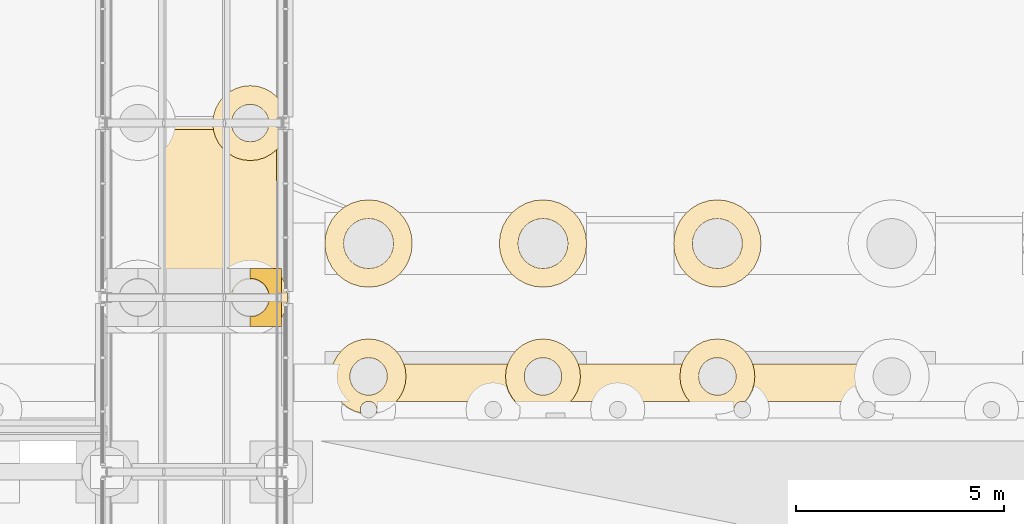
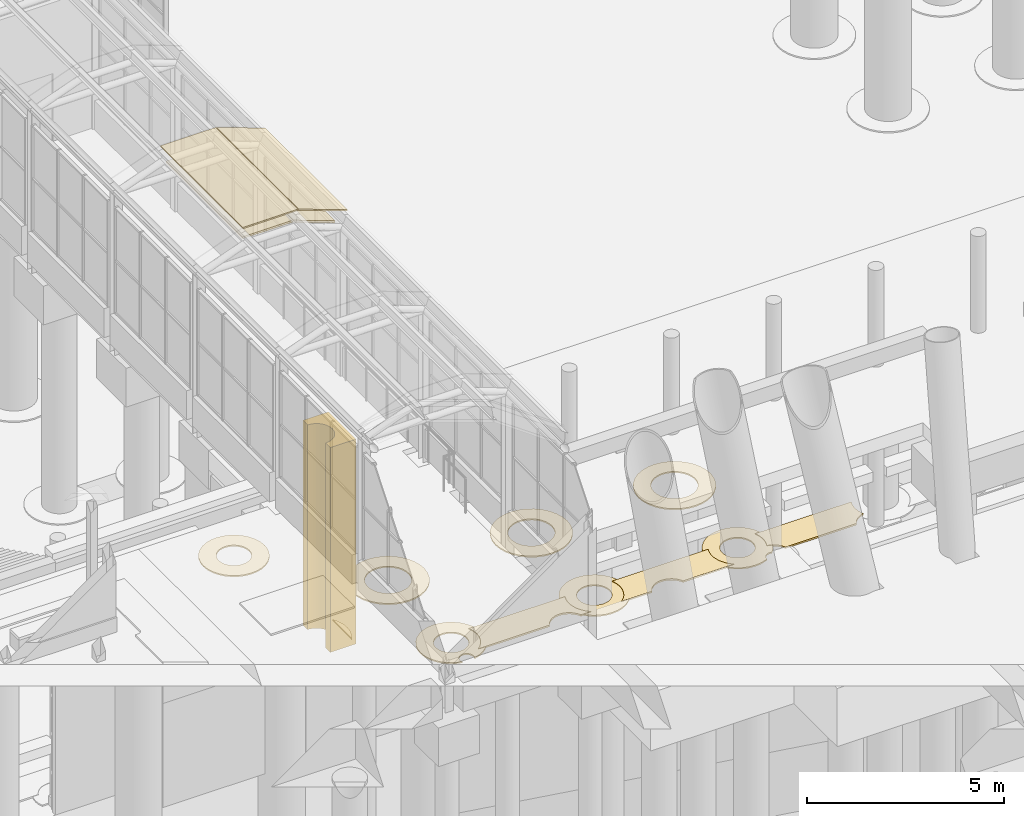
# One storey, part 185 of 222: 16 coverings.
"""IFC4 building model written with IfcOpenShell, lengths in metres."""

from ifc_helpers import new_model, si_unit, direction, frame, origin, place, context, subcontext, project, spatial, polyline, outline, extrude, material, layer, layer_set, type_object, element, save


model = new_model("IFC4")

# Units and contexts
model_context = context("Model", 3, precision=1e-05, world=origin(), true_north=direction((0.0, 1.0)))
body_context = subcontext(model_context, "Body", "Model", "MODEL_VIEW")
ifc_project = project(units=[si_unit("LENGTHUNIT", "METRE"), si_unit("AREAUNIT", "SQUARE_METRE"), si_unit("VOLUMEUNIT", "CUBIC_METRE"), si_unit("PLANEANGLEUNIT", "RADIAN"), si_unit("MASSUNIT", "GRAM", prefix="KILO")], contexts=[model_context])

# Site, building, storey
site_placement = place(None, origin())
site = spatial("IfcSite", under=ifc_project, at=site_placement, CompositionType="ELEMENT")
building_placement = place(site_placement, origin())
building = spatial("IfcBuilding", under=site, at=building_placement, Name="Sava Quay Ferry Terminal", CompositionType="ELEMENT")
storey_placement = place(building_placement, origin())
storey = spatial("IfcBuildingStorey", under=building, at=storey_placement, Name="L00", CompositionType="ELEMENT", Elevation=0.0)

# Coverings
ifc_material_1 = material(Name="Limestone ashlar", Category="masonry")
ifc_layer_1 = layer(ifc_material_1, 6.35009765625)
ifc_layer_set_1 = layer_set([ifc_layer_1], Name="Limestone ashlar")
covering_type_1 = type_object("IfcCoveringType", Name="Bridge abutment pier 1.65 m", PredefinedType="CLADDING", material=ifc_layer_set_1)
covering_1_placement = place(storey_placement, frame((0.0, 0.0, -8.0)))
element("IfcCovering", 1, at=covering_1_placement, inside=storey, type_object=covering_type_1, Name="Bridge abutment pier", PredefinedType="CLADDING", context=body_context, shape_type="SweptSolid", body=[
    extrude(outline(polyline([(50.39990234375, 121.10009765625), (50.39990234375, 122.5), (49.64990234375, 122.5), (49.64990234375, 122.260009765625), (49.695068359375, 122.258056640625), (49.739990234375, 122.2509765625), (49.783935546875, 122.239990234375), (49.825927734375, 122.22509765625), (49.866943359375, 122.2060546875), (49.906005859375, 122.181884765625), (49.94189453125, 122.156005859375), (49.97509765625, 122.125), (50.006103515625, 122.092041015625), (50.031982421875, 122.055908203125), (50.055908203125, 122.01708984375), (50.074951171875, 121.97607421875), (50.090087890625, 121.93408203125), (50.10107421875, 121.889892578125), (50.10791015625, 121.844970703125), (50.110107421875, 121.800048828125), (50.10791015625, 121.7548828125), (50.10107421875, 121.7099609375), (50.090087890625, 121.666015625), (50.074951171875, 121.6240234375), (50.055908203125, 121.5830078125), (50.031982421875, 121.5439453125), (50.006103515625, 121.508056640625), (49.97509765625, 121.47509765625), (49.94189453125, 121.444091796875), (49.906005859375, 121.41796875), (49.866943359375, 121.39404296875), (49.825927734375, 121.375), (49.783935546875, 121.360107421875), (49.739990234375, 121.34912109375), (49.695068359375, 121.342041015625), (49.64990234375, 121.340087890625), (49.64990234375, 121.10009765625), (50.39990234375, 121.10009765625)])), origin(), (0.0, 0.0, 1.0), 6.35009765625),
])
ifc_material_2 = material(Name="Glulam GL28h", Category="wood")
ifc_layer_2 = layer(ifc_material_2, 0.06005859375)
ifc_layer_set_2 = layer_set([ifc_layer_2], Name="Glulam GL28h")
covering_type_2 = type_object("IfcCoveringType", Name="Glulam soffit lining 60", PredefinedType="CEILING", material=ifc_layer_set_2)
covering_2_placement = place(storey_placement, frame((47.5634765625, 121.9599609375, 5.095703125), z_axis=(0.0, 0.0, 1.0), x_axis=(1.0, 0.0, 0.0)))
element("IfcCovering", 2, at=covering_2_placement, inside=storey, type_object=covering_type_2, Name="Boarding gallery B1 timber soffit lining bay 4 facet 2", PredefinedType="CEILING", context=body_context, shape_type="SweptSolid", body=[
    extrude(outline(polyline([(0.0, 0.0), (1.472900390625, 0.0), (1.472900390625, 3.880126953125), (0.0, 3.880126953125), (0.0, 0.0)])), origin(), (0.0, 0.0, -1.0), 0.06005859375),
])
covering_3_placement = place(storey_placement, frame((49.055908203125, 121.9599609375, 5.09228515625), z_axis=(0.342028329159, 0.0, 0.939689641346), x_axis=(0.939689641346, 0.0, -0.342028329159)))
element("IfcCovering", 3, at=covering_3_placement, inside=storey, type_object=covering_type_2, Name="Boarding gallery B1 timber soffit lining bay 4 facet 3", PredefinedType="CEILING", context=body_context, shape_type="SweptSolid", body=[
    extrude(outline(polyline([(0.0, 0.0), (1.3055444975084805, 0.0), (1.3055444975084805, 3.880126953125001), (0.0, 3.880126953125001), (0.0, 0.0)])), origin(), (0.0, 0.0, -1.0), 0.06005859375),
])
ifc_material_3 = material(Name="Water")
ifc_layer_3 = layer(ifc_material_3, 0.0400390625)
ifc_layer_set_3 = layer_set([ifc_layer_3], Name="Water")
covering_type_3 = type_object("IfcCoveringType", Name="River foam collar", PredefinedType="CLADDING", material=ifc_layer_set_3)
covering_4_placement = place(storey_placement, frame((0.0, 0.0, -8.0)))
element("IfcCovering", 4, at=covering_4_placement, inside=storey, type_object=covering_type_3, Name="River foam collar", PredefinedType="CLADDING", context=body_context, shape_type="SweptSolid", body=[
    extrude(outline(polyline([(50.534912109375, 121.6240234375), (50.552001953125, 121.800048828125), (50.534912109375, 121.97607421875), (50.48388671875, 122.14501953125), (50.39990234375, 122.301025390625), (50.39990234375, 121.299072265625), (50.48388671875, 121.455078125), (50.534912109375, 121.6240234375)])), origin(), (0.0, 0.0, 1.0), 0.0400390625),
])
covering_5_placement = place(storey_placement, frame((0.0, 0.0, -8.0)))
element("IfcCovering", 5, at=covering_5_placement, inside=storey, type_object=covering_type_3, Name="River foam collar", PredefinedType="CLADDING", context=body_context, shape_type="SweptSolid", body=[
    extrude(outline(polyline([(49.011962890625, 125.362060546875), (49.14892578125, 125.25), (49.304931640625, 125.166015625), (49.47412109375, 125.114990234375), (49.64990234375, 125.097900390625), (49.825927734375, 125.114990234375), (49.9951171875, 125.166015625), (50.15087890625, 125.25), (50.2880859375, 125.362060546875), (50.39990234375, 125.4990234375), (50.48388671875, 125.655029296875), (50.534912109375, 125.823974609375), (50.552001953125, 126.0), (50.534912109375, 126.176025390625), (50.48388671875, 126.344970703125), (50.39990234375, 126.5009765625), (50.2880859375, 126.637939453125), (50.15087890625, 126.75), (49.9951171875, 126.833984375), (49.825927734375, 126.885009765625), (49.64990234375, 126.902099609375), (49.47412109375, 126.885009765625), (49.304931640625, 126.833984375), (49.14892578125, 126.75), (49.011962890625, 126.637939453125), (48.89990234375, 126.5009765625), (48.81591796875, 126.344970703125), (48.764892578125, 126.176025390625), (48.748046875, 126.0), (48.764892578125, 125.823974609375), (48.81591796875, 125.655029296875), (48.89990234375, 125.4990234375), (49.011962890625, 125.362060546875)]), holes=[polyline([(49.33203125, 126.318115234375), (49.39990234375, 126.3740234375), (49.47802734375, 126.416015625), (49.56201171875, 126.44091796875), (49.64990234375, 126.449951171875), (49.738037109375, 126.44091796875), (49.822021484375, 126.416015625), (49.89990234375, 126.3740234375), (49.968017578125, 126.318115234375), (50.02392578125, 126.25), (50.06591796875, 126.172119140625), (50.091064453125, 126.087890625), (50.10009765625, 126.0), (50.091064453125, 125.912109375), (50.06591796875, 125.827880859375), (50.02392578125, 125.75), (49.968017578125, 125.681884765625), (49.89990234375, 125.6259765625), (49.822021484375, 125.583984375), (49.738037109375, 125.55908203125), (49.64990234375, 125.550048828125), (49.56201171875, 125.55908203125), (49.47802734375, 125.583984375), (49.39990234375, 125.6259765625), (49.33203125, 125.681884765625), (49.27587890625, 125.75), (49.23388671875, 125.827880859375), (49.208984375, 125.912109375), (49.199951171875, 126.0), (49.208984375, 126.087890625), (49.23388671875, 126.172119140625), (49.27587890625, 126.25), (49.33203125, 126.318115234375)])]), origin(), (0.0, 0.0, 1.0), 0.0400390625),
])
covering_6_placement = place(storey_placement, frame((0.0, 0.0, -8.0)))
element("IfcCovering", 6, at=covering_6_placement, inside=storey, type_object=covering_type_3, Name="River foam collar", PredefinedType="CLADDING", context=body_context, shape_type="SweptSolid", body=[
    extrude(outline(polyline([(51.614990234375, 120.075927734375), (51.597900390625, 119.89990234375), (51.614990234375, 119.72412109375), (51.666015625, 119.554931640625), (51.75, 119.39892578125), (51.862060546875, 119.261962890625), (51.9990234375, 119.14990234375), (52.155029296875, 119.06591796875), (52.319091796875, 119.01708984375), (52.31494140625, 119.02294921875), (52.303955078125, 119.06103515625), (52.300048828125, 119.10009765625), (52.303955078125, 119.138916015625), (52.31494140625, 119.177001953125), (52.333984375, 119.2109375), (52.35888671875, 119.240966796875), (52.388916015625, 119.26611328125), (52.423095703125, 119.284912109375), (52.4609375, 119.2958984375), (52.5, 119.300048828125), (52.5390625, 119.2958984375), (52.576904296875, 119.284912109375), (52.611083984375, 119.26611328125), (52.64111328125, 119.240966796875), (52.666015625, 119.2109375), (52.68505859375, 119.177001953125), (52.696044921875, 119.138916015625), (52.699951171875, 119.10009765625), (52.696044921875, 119.06103515625), (52.68505859375, 119.02294921875), (52.680908203125, 119.01708984375), (52.844970703125, 119.06591796875), (53.0009765625, 119.14990234375), (53.137939453125, 119.261962890625), (53.25, 119.39892578125), (53.333984375, 119.554931640625), (53.385009765625, 119.72412109375), (53.402099609375, 119.89990234375), (53.385009765625, 120.075927734375), (53.333984375, 120.2451171875), (53.25, 120.40087890625), (53.137939453125, 120.5380859375), (53.0009765625, 120.64990234375), (52.844970703125, 120.73388671875), (52.676025390625, 120.784912109375), (52.5, 120.802001953125), (52.323974609375, 120.784912109375), (52.155029296875, 120.73388671875), (51.9990234375, 120.64990234375), (51.862060546875, 120.5380859375), (51.75, 120.40087890625), (51.666015625, 120.2451171875), (51.614990234375, 120.075927734375)]), holes=[polyline([(52.75, 120.27392578125), (52.818115234375, 120.218017578125), (52.8740234375, 120.14990234375), (52.916015625, 120.072021484375), (52.94091796875, 119.988037109375), (52.949951171875, 119.89990234375), (52.94091796875, 119.81201171875), (52.916015625, 119.72802734375), (52.8740234375, 119.64990234375), (52.818115234375, 119.58203125), (52.75, 119.52587890625), (52.672119140625, 119.48388671875), (52.587890625, 119.458984375), (52.5, 119.449951171875), (52.412109375, 119.458984375), (52.327880859375, 119.48388671875), (52.25, 119.52587890625), (52.181884765625, 119.58203125), (52.1259765625, 119.64990234375), (52.083984375, 119.72802734375), (52.05908203125, 119.81201171875), (52.050048828125, 119.89990234375), (52.05908203125, 119.988037109375), (52.083984375, 120.072021484375), (52.1259765625, 120.14990234375), (52.181884765625, 120.218017578125), (52.25, 120.27392578125), (52.327880859375, 120.31591796875), (52.412109375, 120.341064453125), (52.5, 120.35009765625), (52.587890625, 120.341064453125), (52.672119140625, 120.31591796875), (52.75, 120.27392578125)])]), origin(), (0.0, 0.0, 1.0), 0.0400390625),
])
covering_7_placement = place(storey_placement, frame((0.0, 0.0, -8.0)))
element("IfcCovering", 7, at=covering_7_placement, inside=storey, type_object=covering_type_3, Name="River foam collar", PredefinedType="CLADDING", context=body_context, shape_type="SweptSolid", body=[
    extrude(outline(polyline([(57.044921875, 119.06591796875), (57.200927734375, 119.14990234375), (57.337890625, 119.261962890625), (57.449951171875, 119.39892578125), (57.533935546875, 119.554931640625), (57.5849609375, 119.72412109375), (57.60205078125, 119.89990234375), (57.5849609375, 120.075927734375), (57.533935546875, 120.2451171875), (57.449951171875, 120.40087890625), (57.337890625, 120.5380859375), (57.200927734375, 120.64990234375), (57.044921875, 120.73388671875), (56.8759765625, 120.784912109375), (56.699951171875, 120.802001953125), (56.52392578125, 120.784912109375), (56.35498046875, 120.73388671875), (56.198974609375, 120.64990234375), (56.06201171875, 120.5380859375), (55.949951171875, 120.40087890625), (55.865966796875, 120.2451171875), (55.81494140625, 120.075927734375), (55.798095703125, 119.89990234375), (55.81494140625, 119.72412109375), (55.865966796875, 119.554931640625), (55.949951171875, 119.39892578125), (56.06201171875, 119.261962890625), (56.198974609375, 119.14990234375), (56.35498046875, 119.06591796875), (56.52392578125, 119.014892578125), (56.699951171875, 118.998046875), (56.8759765625, 119.014892578125), (57.044921875, 119.06591796875)]), holes=[polyline([(56.8720703125, 120.31591796875), (56.949951171875, 120.27392578125), (57.01806640625, 120.218017578125), (57.073974609375, 120.14990234375), (57.115966796875, 120.072021484375), (57.14111328125, 119.988037109375), (57.14990234375, 119.89990234375), (57.14111328125, 119.81201171875), (57.115966796875, 119.72802734375), (57.073974609375, 119.64990234375), (57.01806640625, 119.58203125), (56.949951171875, 119.52587890625), (56.8720703125, 119.48388671875), (56.7880859375, 119.458984375), (56.699951171875, 119.449951171875), (56.612060546875, 119.458984375), (56.528076171875, 119.48388671875), (56.449951171875, 119.52587890625), (56.382080078125, 119.58203125), (56.325927734375, 119.64990234375), (56.283935546875, 119.72802734375), (56.259033203125, 119.81201171875), (56.25, 119.89990234375), (56.259033203125, 119.988037109375), (56.283935546875, 120.072021484375), (56.325927734375, 120.14990234375), (56.382080078125, 120.218017578125), (56.449951171875, 120.27392578125), (56.528076171875, 120.31591796875), (56.612060546875, 120.341064453125), (56.699951171875, 120.35009765625), (56.7880859375, 120.341064453125), (56.8720703125, 120.31591796875)])]), origin(), (0.0, 0.0, 1.0), 0.0400390625),
])
covering_8_placement = place(storey_placement, frame((0.0, 0.0, -8.0)))
element("IfcCovering", 8, at=covering_8_placement, inside=storey, type_object=covering_type_3, Name="River foam collar", PredefinedType="CLADDING", context=body_context, shape_type="SweptSolid", body=[
    extrude(outline(polyline([(61.64990234375, 120.40087890625), (61.5380859375, 120.5380859375), (61.40087890625, 120.64990234375), (61.2451171875, 120.73388671875), (61.075927734375, 120.784912109375), (60.89990234375, 120.802001953125), (60.72412109375, 120.784912109375), (60.554931640625, 120.73388671875), (60.39892578125, 120.64990234375), (60.261962890625, 120.5380859375), (60.14990234375, 120.40087890625), (60.06591796875, 120.2451171875), (60.014892578125, 120.075927734375), (59.998046875, 119.89990234375), (60.014892578125, 119.72412109375), (60.06591796875, 119.554931640625), (60.14990234375, 119.39892578125), (60.261962890625, 119.261962890625), (60.39892578125, 119.14990234375), (60.554931640625, 119.06591796875), (60.72412109375, 119.014892578125), (60.89990234375, 118.998046875), (61.075927734375, 119.014892578125), (61.2451171875, 119.06591796875), (61.300048828125, 119.095947265625), (61.303955078125, 119.138916015625), (61.31494140625, 119.177001953125), (61.333984375, 119.2109375), (61.35888671875, 119.240966796875), (61.388916015625, 119.26611328125), (61.423095703125, 119.284912109375), (61.4609375, 119.2958984375), (61.5, 119.300048828125), (61.5390625, 119.2958984375), (61.56103515625, 119.2900390625), (61.64990234375, 119.39892578125), (61.73388671875, 119.554931640625), (61.784912109375, 119.72412109375), (61.802001953125, 119.89990234375), (61.784912109375, 120.075927734375), (61.73388671875, 120.2451171875), (61.64990234375, 120.40087890625)]), holes=[polyline([(60.988037109375, 120.341064453125), (61.072021484375, 120.31591796875), (61.14990234375, 120.27392578125), (61.218017578125, 120.218017578125), (61.27392578125, 120.14990234375), (61.31591796875, 120.072021484375), (61.341064453125, 119.988037109375), (61.35009765625, 119.89990234375), (61.341064453125, 119.81201171875), (61.31591796875, 119.72802734375), (61.27392578125, 119.64990234375), (61.218017578125, 119.58203125), (61.14990234375, 119.52587890625), (61.072021484375, 119.48388671875), (60.988037109375, 119.458984375), (60.89990234375, 119.449951171875), (60.81201171875, 119.458984375), (60.72802734375, 119.48388671875), (60.64990234375, 119.52587890625), (60.58203125, 119.58203125), (60.52587890625, 119.64990234375), (60.48388671875, 119.72802734375), (60.458984375, 119.81201171875), (60.449951171875, 119.89990234375), (60.458984375, 119.988037109375), (60.48388671875, 120.072021484375), (60.52587890625, 120.14990234375), (60.58203125, 120.218017578125), (60.64990234375, 120.27392578125), (60.72802734375, 120.31591796875), (60.81201171875, 120.341064453125), (60.89990234375, 120.35009765625), (60.988037109375, 120.341064453125)])]), origin(), (0.0, 0.0, 1.0), 0.0400390625),
])
covering_9_placement = place(storey_placement, frame((0.0, 0.0, -8.0)))
element("IfcCovering", 9, at=covering_9_placement, inside=storey, type_object=covering_type_3, Name="River foam collar", PredefinedType="CLADDING", context=body_context, shape_type="SweptSolid", body=[
    extrude(outline(polyline([(51.9150390625, 122.22509765625), (52.096923828125, 122.1279296875), (52.294921875, 122.068115234375), (52.5, 122.048095703125), (52.705078125, 122.068115234375), (52.903076171875, 122.1279296875), (53.0849609375, 122.22509765625), (53.243896484375, 122.35595703125), (53.375, 122.514892578125), (53.471923828125, 122.697021484375), (53.531982421875, 122.89501953125), (53.552001953125, 123.10009765625), (53.531982421875, 123.304931640625), (53.471923828125, 123.5029296875), (53.375, 123.68505859375), (53.243896484375, 123.843994140625), (53.0849609375, 123.97509765625), (52.903076171875, 124.072021484375), (52.705078125, 124.132080078125), (52.5, 124.152099609375), (52.294921875, 124.132080078125), (52.096923828125, 124.072021484375), (51.9150390625, 123.97509765625), (51.756103515625, 123.843994140625), (51.625, 123.68505859375), (51.528076171875, 123.5029296875), (51.468017578125, 123.304931640625), (51.447998046875, 123.10009765625), (51.468017578125, 122.89501953125), (51.528076171875, 122.697021484375), (51.625, 122.514892578125), (51.756103515625, 122.35595703125), (51.9150390625, 122.22509765625)]), holes=[polyline([(52.1669921875, 123.59912109375), (52.27001953125, 123.654052734375), (52.383056640625, 123.68798828125), (52.5, 123.699951171875), (52.616943359375, 123.68798828125), (52.72998046875, 123.654052734375), (52.8330078125, 123.59912109375), (52.924072265625, 123.52392578125), (52.9990234375, 123.43310546875), (53.053955078125, 123.330078125), (53.087890625, 123.217041015625), (53.10009765625, 123.10009765625), (53.087890625, 122.98291015625), (53.053955078125, 122.8701171875), (52.9990234375, 122.76708984375), (52.924072265625, 122.676025390625), (52.8330078125, 122.60107421875), (52.72998046875, 122.5458984375), (52.616943359375, 122.511962890625), (52.5, 122.5), (52.383056640625, 122.511962890625), (52.27001953125, 122.5458984375), (52.1669921875, 122.60107421875), (52.075927734375, 122.676025390625), (52.0009765625, 122.76708984375), (51.946044921875, 122.8701171875), (51.912109375, 122.98291015625), (51.89990234375, 123.10009765625), (51.912109375, 123.217041015625), (51.946044921875, 123.330078125), (52.0009765625, 123.43310546875), (52.075927734375, 123.52392578125), (52.1669921875, 123.59912109375)])]), origin(), (0.0, 0.0, 1.0), 0.0400390625),
])
covering_10_placement = place(storey_placement, frame((0.0, 0.0, -8.0)))
element("IfcCovering", 10, at=covering_10_placement, inside=storey, type_object=covering_type_3, Name="River foam collar", PredefinedType="CLADDING", context=body_context, shape_type="SweptSolid", body=[
    extrude(outline(polyline([(55.9560546875, 122.35595703125), (56.114990234375, 122.22509765625), (56.297119140625, 122.1279296875), (56.4951171875, 122.068115234375), (56.699951171875, 122.048095703125), (56.905029296875, 122.068115234375), (57.10302734375, 122.1279296875), (57.284912109375, 122.22509765625), (57.444091796875, 122.35595703125), (57.574951171875, 122.514892578125), (57.672119140625, 122.697021484375), (57.73193359375, 122.89501953125), (57.751953125, 123.10009765625), (57.73193359375, 123.304931640625), (57.672119140625, 123.5029296875), (57.574951171875, 123.68505859375), (57.444091796875, 123.843994140625), (57.284912109375, 123.97509765625), (57.10302734375, 124.072021484375), (56.905029296875, 124.132080078125), (56.699951171875, 124.152099609375), (56.4951171875, 124.132080078125), (56.297119140625, 124.072021484375), (56.114990234375, 123.97509765625), (55.9560546875, 123.843994140625), (55.824951171875, 123.68505859375), (55.72802734375, 123.5029296875), (55.66796875, 123.304931640625), (55.64794921875, 123.10009765625), (55.66796875, 122.89501953125), (55.72802734375, 122.697021484375), (55.824951171875, 122.514892578125), (55.9560546875, 122.35595703125)]), holes=[polyline([(56.27587890625, 123.52392578125), (56.366943359375, 123.59912109375), (56.469970703125, 123.654052734375), (56.5830078125, 123.68798828125), (56.699951171875, 123.699951171875), (56.81689453125, 123.68798828125), (56.929931640625, 123.654052734375), (57.032958984375, 123.59912109375), (57.1240234375, 123.52392578125), (57.198974609375, 123.43310546875), (57.25390625, 123.330078125), (57.2880859375, 123.217041015625), (57.300048828125, 123.10009765625), (57.2880859375, 122.98291015625), (57.25390625, 122.8701171875), (57.198974609375, 122.76708984375), (57.1240234375, 122.676025390625), (57.032958984375, 122.60107421875), (56.929931640625, 122.5458984375), (56.81689453125, 122.511962890625), (56.699951171875, 122.5), (56.5830078125, 122.511962890625), (56.469970703125, 122.5458984375), (56.366943359375, 122.60107421875), (56.27587890625, 122.676025390625), (56.200927734375, 122.76708984375), (56.14599609375, 122.8701171875), (56.112060546875, 122.98291015625), (56.10009765625, 123.10009765625), (56.112060546875, 123.217041015625), (56.14599609375, 123.330078125), (56.200927734375, 123.43310546875), (56.27587890625, 123.52392578125)])]), origin(), (0.0, 0.0, 1.0), 0.0400390625),
])
covering_11_placement = place(storey_placement, frame((0.0, 0.0, -8.0)))
element("IfcCovering", 11, at=covering_11_placement, inside=storey, type_object=covering_type_3, Name="River foam collar", PredefinedType="CLADDING", context=body_context, shape_type="SweptSolid", body=[
    extrude(outline(polyline([(60.02490234375, 122.514892578125), (60.156005859375, 122.35595703125), (60.31494140625, 122.22509765625), (60.4970703125, 122.1279296875), (60.695068359375, 122.068115234375), (60.89990234375, 122.048095703125), (61.10498046875, 122.068115234375), (61.302978515625, 122.1279296875), (61.485107421875, 122.22509765625), (61.64404296875, 122.35595703125), (61.77490234375, 122.514892578125), (61.8720703125, 122.697021484375), (61.931884765625, 122.89501953125), (61.951904296875, 123.10009765625), (61.931884765625, 123.304931640625), (61.8720703125, 123.5029296875), (61.77490234375, 123.68505859375), (61.64404296875, 123.843994140625), (61.485107421875, 123.97509765625), (61.302978515625, 124.072021484375), (61.10498046875, 124.132080078125), (60.89990234375, 124.152099609375), (60.695068359375, 124.132080078125), (60.4970703125, 124.072021484375), (60.31494140625, 123.97509765625), (60.156005859375, 123.843994140625), (60.02490234375, 123.68505859375), (59.927978515625, 123.5029296875), (59.867919921875, 123.304931640625), (59.847900390625, 123.10009765625), (59.867919921875, 122.89501953125), (59.927978515625, 122.697021484375), (60.02490234375, 122.514892578125)]), holes=[polyline([(60.40087890625, 123.43310546875), (60.47607421875, 123.52392578125), (60.56689453125, 123.59912109375), (60.669921875, 123.654052734375), (60.782958984375, 123.68798828125), (60.89990234375, 123.699951171875), (61.01708984375, 123.68798828125), (61.1298828125, 123.654052734375), (61.23291015625, 123.59912109375), (61.323974609375, 123.52392578125), (61.39892578125, 123.43310546875), (61.4541015625, 123.330078125), (61.488037109375, 123.217041015625), (61.5, 123.10009765625), (61.488037109375, 122.98291015625), (61.4541015625, 122.8701171875), (61.39892578125, 122.76708984375), (61.323974609375, 122.676025390625), (61.23291015625, 122.60107421875), (61.1298828125, 122.5458984375), (61.01708984375, 122.511962890625), (60.89990234375, 122.5), (60.782958984375, 122.511962890625), (60.669921875, 122.5458984375), (60.56689453125, 122.60107421875), (60.47607421875, 122.676025390625), (60.40087890625, 122.76708984375), (60.345947265625, 122.8701171875), (60.31201171875, 122.98291015625), (60.300048828125, 123.10009765625), (60.31201171875, 123.217041015625), (60.345947265625, 123.330078125), (60.40087890625, 123.43310546875)])]), origin(), (0.0, 0.0, 1.0), 0.0400390625),
])
ifc_material_4 = material(Name="Water")
ifc_layer_4 = layer(ifc_material_4, 0.050048828125)
ifc_layer_set_4 = layer_set([ifc_layer_4], Name="Water")
covering_type_4 = type_object("IfcCoveringType", Name="River foam line", PredefinedType="CLADDING", material=ifc_layer_set_4)
covering_12_placement = place(storey_placement, frame((0.0, 0.0, -8.0)))
element("IfcCovering", 12, at=covering_12_placement, inside=storey, type_object=covering_type_4, Name="River foam line", PredefinedType="CLADDING", context=body_context, shape_type="SweptSolid", body=[
    extrude(outline(polyline([(64.4130859375, 120.199951171875), (61.5869140625, 120.199951171875), (61.60302734375, 120.158935546875), (61.6279296875, 120.074951171875), (61.635986328125, 120.0458984375), (61.639892578125, 120.01708984375), (61.64892578125, 119.928955078125), (61.64990234375, 119.89990234375), (61.64892578125, 119.87109375), (61.639892578125, 119.782958984375), (61.635986328125, 119.75390625), (61.6279296875, 119.72509765625), (61.60302734375, 119.64111328125), (61.593017578125, 119.613037109375), (61.5830078125, 119.593017578125), (61.6259765625, 119.5830078125), (61.69091796875, 119.56201171875), (61.7529296875, 119.531005859375), (61.778076171875, 119.51611328125), (61.801025390625, 119.498046875), (61.85400390625, 119.4541015625), (61.89794921875, 119.40087890625), (61.916015625, 119.3779296875), (61.930908203125, 119.35302734375), (61.9580078125, 119.300048828125), (64.0419921875, 119.300048828125), (64.069091796875, 119.35302734375), (64.083984375, 119.3779296875), (64.10205078125, 119.40087890625), (64.14599609375, 119.4541015625), (64.198974609375, 119.498046875), (64.221923828125, 119.51611328125), (64.2470703125, 119.531005859375), (64.30908203125, 119.56201171875), (64.3740234375, 119.5830078125), (64.4169921875, 119.593017578125), (64.406982421875, 119.613037109375), (64.39697265625, 119.64111328125), (64.3720703125, 119.72509765625), (64.364013671875, 119.75390625), (64.360107421875, 119.782958984375), (64.35107421875, 119.87109375), (64.35009765625, 119.89990234375), (64.35107421875, 119.928955078125), (64.360107421875, 120.01708984375), (64.364013671875, 120.0458984375), (64.3720703125, 120.074951171875), (64.39697265625, 120.158935546875), (64.4130859375, 120.199951171875)])), origin(), (0.0, 0.0, 1.0), 0.050048828125),
])
covering_13_placement = place(storey_placement, frame((0.0, 0.0, -8.0)))
element("IfcCovering", 13, at=covering_13_placement, inside=storey, type_object=covering_type_4, Name="River foam line", PredefinedType="CLADDING", context=body_context, shape_type="SweptSolid", body=[
    extrude(outline(polyline([(60.212890625, 120.199951171875), (57.386962890625, 120.199951171875), (57.403076171875, 120.158935546875), (57.427978515625, 120.074951171875), (57.43603515625, 120.0458984375), (57.43994140625, 120.01708984375), (57.448974609375, 119.928955078125), (57.449951171875, 119.89990234375), (57.448974609375, 119.87109375), (57.43994140625, 119.782958984375), (57.43603515625, 119.75390625), (57.427978515625, 119.72509765625), (57.403076171875, 119.64111328125), (57.39306640625, 119.613037109375), (57.3798828125, 119.5859375), (57.339111328125, 119.509033203125), (57.323974609375, 119.48291015625), (57.305908203125, 119.4599609375), (57.25, 119.39111328125), (57.22998046875, 119.3701171875), (57.208984375, 119.35009765625), (57.14794921875, 119.300048828125), (58.0419921875, 119.300048828125), (58.069091796875, 119.35302734375), (58.083984375, 119.3779296875), (58.126953125, 119.431884765625), (58.14599609375, 119.4541015625), (58.16796875, 119.472900390625), (58.221923828125, 119.51611328125), (58.2470703125, 119.531005859375), (58.30908203125, 119.56201171875), (58.3740234375, 119.5830078125), (58.402099609375, 119.590087890625), (58.431884765625, 119.594970703125), (58.5, 119.60009765625), (58.568115234375, 119.594970703125), (58.597900390625, 119.590087890625), (58.6259765625, 119.5830078125), (58.69091796875, 119.56201171875), (58.7529296875, 119.531005859375), (58.778076171875, 119.51611328125), (58.83203125, 119.472900390625), (58.85400390625, 119.4541015625), (58.873046875, 119.431884765625), (58.916015625, 119.3779296875), (58.930908203125, 119.35302734375), (58.9580078125, 119.300048828125), (60.451904296875, 119.300048828125), (60.39111328125, 119.35009765625), (60.3701171875, 119.3701171875), (60.35009765625, 119.39111328125), (60.2939453125, 119.4599609375), (60.27587890625, 119.48291015625), (60.260986328125, 119.509033203125), (60.219970703125, 119.5859375), (60.20703125, 119.613037109375), (60.197021484375, 119.64111328125), (60.172119140625, 119.72509765625), (60.1640625, 119.75390625), (60.159912109375, 119.782958984375), (60.15087890625, 119.87109375), (60.14990234375, 119.89990234375), (60.15087890625, 119.928955078125), (60.159912109375, 120.01708984375), (60.1640625, 120.0458984375), (60.172119140625, 120.074951171875), (60.197021484375, 120.158935546875), (60.212890625, 120.199951171875)])), origin(), (0.0, 0.0, 1.0), 0.050048828125),
])
covering_14_placement = place(storey_placement, frame((0.0, 0.0, -8.0)))
element("IfcCovering", 14, at=covering_14_placement, inside=storey, type_object=covering_type_4, Name="River foam line", PredefinedType="CLADDING", context=body_context, shape_type="SweptSolid", body=[
    extrude(outline(polyline([(56.012939453125, 120.199951171875), (53.18701171875, 120.199951171875), (53.202880859375, 120.158935546875), (53.22802734375, 120.074951171875), (53.236083984375, 120.0458984375), (53.239990234375, 120.01708984375), (53.2490234375, 119.928955078125), (53.25, 119.89990234375), (53.2490234375, 119.87109375), (53.239990234375, 119.782958984375), (53.236083984375, 119.75390625), (53.22802734375, 119.72509765625), (53.202880859375, 119.64111328125), (53.193115234375, 119.613037109375), (53.179931640625, 119.5859375), (53.138916015625, 119.509033203125), (53.1240234375, 119.48291015625), (53.10595703125, 119.4599609375), (53.050048828125, 119.39111328125), (53.030029296875, 119.3701171875), (53.009033203125, 119.35009765625), (52.955078125, 119.305908203125), (52.9580078125, 119.300048828125), (55.0419921875, 119.300048828125), (55.069091796875, 119.35302734375), (55.083984375, 119.3779296875), (55.126953125, 119.431884765625), (55.14599609375, 119.4541015625), (55.16796875, 119.472900390625), (55.221923828125, 119.51611328125), (55.2470703125, 119.531005859375), (55.30908203125, 119.56201171875), (55.3740234375, 119.5830078125), (55.402099609375, 119.590087890625), (55.431884765625, 119.594970703125), (55.5, 119.60009765625), (55.568115234375, 119.594970703125), (55.597900390625, 119.590087890625), (55.6259765625, 119.5830078125), (55.69091796875, 119.56201171875), (55.7529296875, 119.531005859375), (55.778076171875, 119.51611328125), (55.83203125, 119.472900390625), (55.85400390625, 119.4541015625), (55.873046875, 119.431884765625), (55.916015625, 119.3779296875), (55.930908203125, 119.35302734375), (55.9580078125, 119.300048828125), (56.251953125, 119.300048828125), (56.19091796875, 119.35009765625), (56.169921875, 119.3701171875), (56.14990234375, 119.39111328125), (56.093994140625, 119.4599609375), (56.075927734375, 119.48291015625), (56.06103515625, 119.509033203125), (56.02001953125, 119.5859375), (56.007080078125, 119.613037109375), (55.9970703125, 119.64111328125), (55.971923828125, 119.72509765625), (55.964111328125, 119.75390625), (55.9599609375, 119.782958984375), (55.950927734375, 119.87109375), (55.949951171875, 119.89990234375), (55.950927734375, 119.928955078125), (55.9599609375, 120.01708984375), (55.964111328125, 120.0458984375), (55.971923828125, 120.074951171875), (55.9970703125, 120.158935546875), (56.012939453125, 120.199951171875)])), origin(), (0.0, 0.0, 1.0), 0.050048828125),
])
ifc_material_5 = material(Name="Zinc standing seam sheet")
ifc_layer_5 = layer(ifc_material_5, 0.0400390625)
ifc_layer_set_5 = layer_set([ifc_layer_5], Name="Zinc standing seam sheet")
covering_type_5 = type_object("IfcCoveringType", Name="Standing seam roofing 40", PredefinedType="ROOFING", material=ifc_layer_set_5)
covering_15_placement = place(storey_placement, frame((47.4912109375, 121.81005859375, 5.505859375), z_axis=(0.0, 0.0, 1.0), x_axis=(1.0, 0.0, 0.0)))
element("IfcCovering", 15, at=covering_15_placement, inside=storey, type_object=covering_type_5, Name="Boarding gallery B1 roofing bay 4 facet 2", PredefinedType="ROOFING", context=body_context, shape_type="SweptSolid", body=[
    extrude(outline(polyline([(0.0, 0.0), (1.617431640625, 0.0), (1.617431640625, 4.179931640625), (0.0, 4.179931640625), (0.0, 0.0)])), origin(), (0.0, 0.0, -1.0), 0.0400390625),
])
covering_16_placement = place(storey_placement, frame((49.128173828125, 121.81005859375, 5.50244140625), z_axis=(0.342089424704, 0.0, 0.939667401534), x_axis=(0.939667401534, 0.0, -0.342089424704)))
element("IfcCovering", 16, at=covering_16_placement, inside=storey, type_object=covering_type_5, Name="Boarding gallery B1 roofing bay 4 facet 3", PredefinedType="ROOFING", context=body_context, shape_type="SweptSolid", body=[
    extrude(outline(polyline([(0.0, 0.0), (1.5279778922638676, 0.0), (1.5279778922638676, 4.179931640625), (0.0, 4.179931640625), (0.0, 0.0)])), origin(), (0.0, 0.0, -1.0), 0.0400390625),
])

save(model, "model.ifc")
